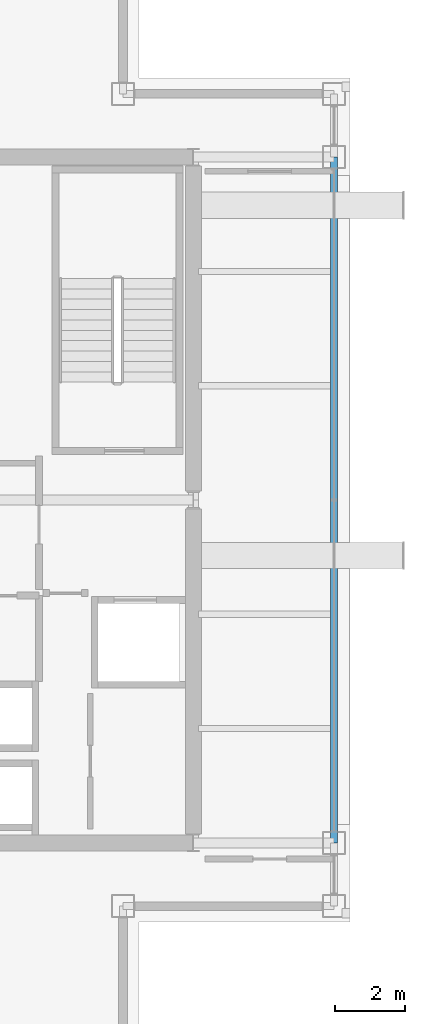
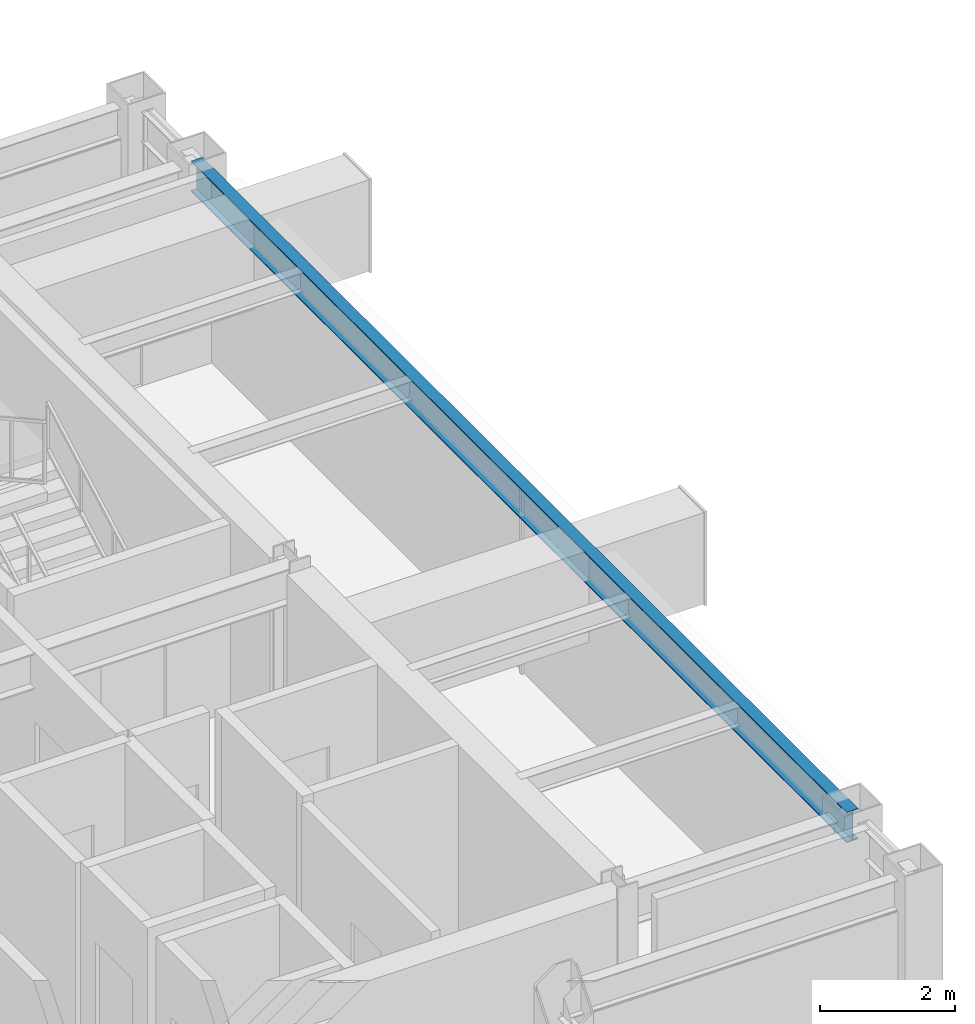
# One storey, part 11 of 20: 1 beam.
"""IFC4 building model written with IfcOpenShell, lengths in metres."""

from ifc_helpers import new_model, si_unit, direction, frame, origin, origin_2d, place, context, subcontext, project, spatial, i_section, extrude, material, material_profile, profile_set, type_object, element, save


model = new_model("IFC4")

# Units and contexts
model_context = context("Model", 3, precision=1e-05, world=origin(), true_north=direction((0.0, 1.0)))
body_context = subcontext(model_context, "Body", "Model", "MODEL_VIEW")
ifc_project = project(units=[si_unit("LENGTHUNIT", "METRE"), si_unit("AREAUNIT", "SQUARE_METRE"), si_unit("VOLUMEUNIT", "CUBIC_METRE"), si_unit("PLANEANGLEUNIT", "RADIAN"), si_unit("MASSUNIT", "GRAM", prefix="KILO")], contexts=[model_context])

# Site, building, storey
site_placement = place(None, origin())
site = spatial("IfcSite", under=ifc_project, at=site_placement, CompositionType="ELEMENT")
building_placement = place(site_placement, origin())
building = spatial("IfcBuilding", under=site, at=building_placement, Name="Brelmoor Portico Tower", CompositionType="ELEMENT")
storey_placement = place(building_placement, frame((0.0, 0.0, 218.39990234375)))
storey = spatial("IfcBuildingStorey", under=building, at=storey_placement, Name="L57", CompositionType="ELEMENT", Elevation=218.39990234375)

# Beam
ifc_material = material(Name="Steel Q355B", Category="steel")
ifc_material_profile = material_profile(ifc_material, i_section(OverallWidth=0.199951171875, OverallDepth=0.550048828125, WebThickness=0.010009765625, FlangeThickness=0.01611328125, at=origin_2d()), Name="HN 550x200x10x16")
ifc_profile_set = profile_set([ifc_material_profile], Name="Steel Q355B")
beam_type = type_object("IfcBeamType", Name="BM-SP-550", PredefinedType="SPANDREL", material=ifc_profile_set)
beam_placement = place(storey_placement, frame((18.550048828125, -9.75, 3.125), z_axis=(0.0, 1.0, 0.0), x_axis=(-1.0, 0.0, 0.0)))
element("IfcBeam", 1, at=beam_placement, inside=storey, type_object=beam_type, Name="L57 Perimeter Spandrel Beam SP-19", PredefinedType="SPANDREL", context=body_context, shape_type="SweptSolid", body=[
    extrude(i_section(OverallWidth=0.199951171875, OverallDepth=0.550048828125, WebThickness=0.010009765625, FlangeThickness=0.01611328125, at=origin_2d()), origin(), (0.0, 0.0, 1.0), 19.5),
])

save(model, "model.ifc")
